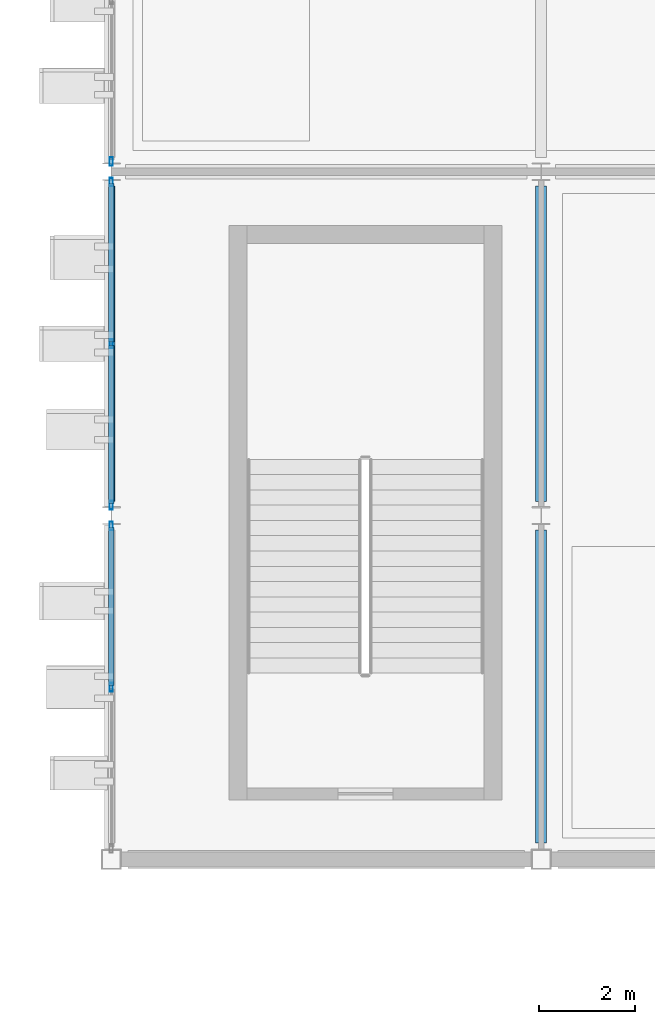
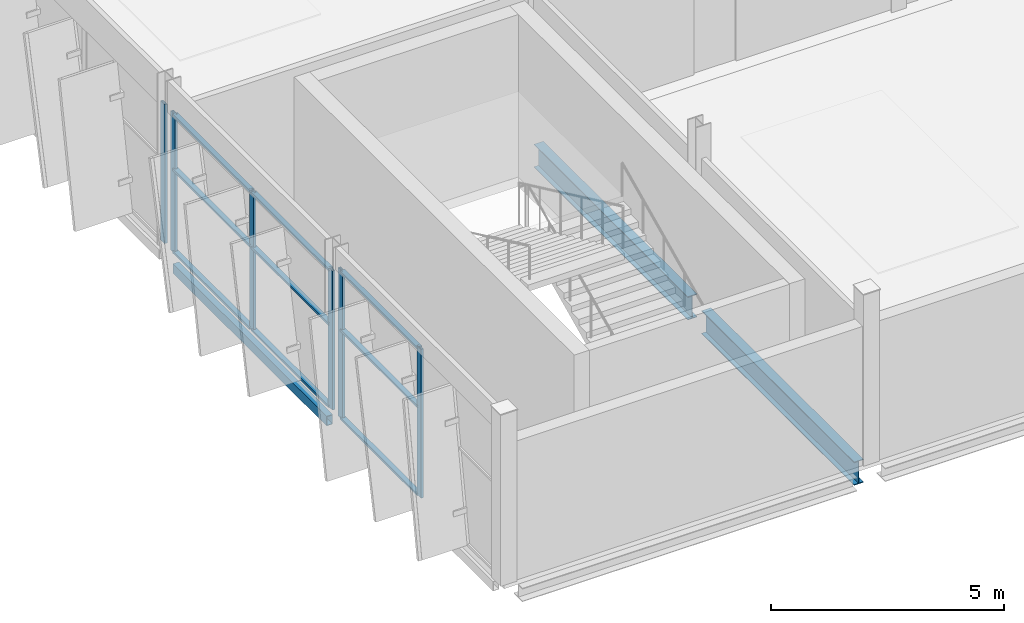
# One storey, part 25 of 78: 15 members, 3 beams, 3 elements without a shape of their own.
"""IFC4 building model written with IfcOpenShell, lengths in metres."""

from ifc_helpers import new_model, si_unit, direction, frame, origin, origin_2d, place, context, subcontext, project, spatial, hollow_rectangle, i_section, extrude, material, layer, layer_set, material_profile, profile_set, type_object, element, aggregate, save


model = new_model("IFC4")

# Units and contexts
model_context = context("Model", 3, precision=1e-05, world=origin(), true_north=direction((0.0, 1.0)))
body_context = subcontext(model_context, "Body", "Model", "MODEL_VIEW")
ifc_project = project(units=[si_unit("LENGTHUNIT", "METRE"), si_unit("AREAUNIT", "SQUARE_METRE"), si_unit("VOLUMEUNIT", "CUBIC_METRE"), si_unit("PLANEANGLEUNIT", "RADIAN"), si_unit("MASSUNIT", "GRAM", prefix="KILO")], contexts=[model_context])

# Site, building, storey
site_placement = place(None, origin())
site = spatial("IfcSite", under=ifc_project, at=site_placement, CompositionType="ELEMENT")
building_placement = place(site_placement, origin())
building = spatial("IfcBuilding", under=site, at=building_placement, Name="Celestram Park Convention Centre", CompositionType="ELEMENT")
storey_placement = place(building_placement, frame((0.0, 0.0, 19.800048828125)))
storey = spatial("IfcBuildingStorey", under=building, at=storey_placement, Name="L04", CompositionType="ELEMENT", Elevation=19.800048828125)

# Curtain wall, members
ifc_material_1 = material(Name="Anodised Aluminium Alloy 6063-T6", Category="aluminium")
ifc_layer_1 = layer(ifc_material_1, 0.179931640625)
ifc_layer_set_1 = layer_set([ifc_layer_1], Name="Anodised Aluminium Alloy 6063-T6")
curtain_wall_type_1 = type_object("IfcCurtainWallType", Name="ARC-CW-682X390", PredefinedType="NOTDEFINED", material=ifc_layer_set_1)
curtain_wall_1_placement = place(storey_placement, origin())
curtain_wall_1 = element("IfcCurtainWall", 1, at=curtain_wall_1_placement, inside=storey, type_object=curtain_wall_type_1, Name="Unitised curtain wall CU-L04-229", PredefinedType="NOTDEFINED")
ifc_material_profile_1 = material_profile(ifc_material_1, hollow_rectangle(XDim=0.06494140625, YDim=0.179931640625, WallThickness=0.00390625, at=origin_2d()), Name="ALU65X180X4")
ifc_profile_set_1 = profile_set([ifc_material_profile_1], Name="Anodised Aluminium Alloy 6063-T6")
member_type_1 = type_object("IfcMemberType", Name="ARC-CWM-150", PredefinedType="MULLION", material=ifc_profile_set_1)
member_1_placement = place(storey_placement, frame((36.0, 111.606689453125, 0.0), z_axis=(0.0, 0.0, 1.0), x_axis=(-1.0, 0.0, 0.0)))
member_1 = element("IfcMember", 2, at=member_1_placement, type_object=member_type_1, Name="CW-68X39 mullion 2", PredefinedType="MULLION", context=body_context, shape_type="SweptSolid", body=[
    extrude(hollow_rectangle(XDim=0.06494140625, YDim=0.179931640625, WallThickness=0.00390625, at=origin_2d()), origin(), (0.0, 0.0, 1.0), 3.904052734375),
])
member_2_placement = place(storey_placement, frame((36.0, 114.98291015625, 0.0), z_axis=(0.0, 0.0, 1.0), x_axis=(-1.0, 0.0, 0.0)))
member_2 = element("IfcMember", 3, at=member_2_placement, type_object=member_type_1, Name="CW-68X39 mullion 3", PredefinedType="MULLION", context=body_context, shape_type="SweptSolid", body=[
    extrude(hollow_rectangle(XDim=0.06494140625, YDim=0.179931640625, WallThickness=0.00390625, at=origin_2d()), origin(), (0.0, 0.0, 1.0), 3.904052734375),
])

ifc_layer_2 = layer(ifc_material_1, 0.179931640625)
ifc_layer_set_2 = layer_set([ifc_layer_2], Name="Anodised Aluminium Alloy 6063-T6")
curtain_wall_type_2 = type_object("IfcCurtainWallType", Name="ARC-CW-683X365", PredefinedType="NOTDEFINED", material=ifc_layer_set_2)
curtain_wall_2_placement = place(storey_placement, origin())
curtain_wall_2 = element("IfcCurtainWall", 4, at=curtain_wall_2_placement, inside=storey, type_object=curtain_wall_type_2, Name="Unitised curtain wall CU-L04-230", PredefinedType="NOTDEFINED")
member_3_placement = place(storey_placement, frame((36.0, 115.4169921875, 0.0), z_axis=(0.0, 0.0, 1.0), x_axis=(-1.0, 0.0, 0.0)))
member_3 = element("IfcMember", 5, at=member_3_placement, type_object=member_type_1, Name="CW-68X36 mullion 1", PredefinedType="MULLION", context=body_context, shape_type="SweptSolid", body=[
    extrude(hollow_rectangle(XDim=0.06494140625, YDim=0.179931640625, WallThickness=0.00390625, at=origin_2d()), origin(), (0.0, 0.0, 1.0), 3.64794921875),
])
member_4_placement = place(storey_placement, frame((36.0, 118.800048828125, 0.0), z_axis=(0.0, 0.0, 1.0), x_axis=(-1.0, 0.0, 0.0)))
member_4 = element("IfcMember", 6, at=member_4_placement, type_object=member_type_1, Name="CW-68X36 mullion 2", PredefinedType="MULLION", context=body_context, shape_type="SweptSolid", body=[
    extrude(hollow_rectangle(XDim=0.06494140625, YDim=0.179931640625, WallThickness=0.00390625, at=origin_2d()), origin(), (0.0, 0.0, 1.0), 3.64794921875),
])
member_5_placement = place(storey_placement, frame((36.0, 122.18310546875, 0.0), z_axis=(0.0, 0.0, 1.0), x_axis=(-1.0, 0.0, 0.0)))
member_5 = element("IfcMember", 7, at=member_5_placement, type_object=member_type_1, Name="CW-68X36 mullion 3", PredefinedType="MULLION", context=body_context, shape_type="SweptSolid", body=[
    extrude(hollow_rectangle(XDim=0.06494140625, YDim=0.179931640625, WallThickness=0.00390625, at=origin_2d()), origin(), (0.0, 0.0, 1.0), 3.64794921875),
])

# Curtain wall, member
curtain_wall_3_placement = place(storey_placement, origin())
curtain_wall_3 = element("IfcCurtainWall", 8, at=curtain_wall_3_placement, inside=storey, type_object=curtain_wall_type_2, Name="Unitised curtain wall CU-L04-231", PredefinedType="NOTDEFINED")
member_6_placement = place(storey_placement, frame((36.0, 122.616943359375, 0.0), z_axis=(0.0, 0.0, 1.0), x_axis=(-1.0, 0.0, 0.0)))
member_6 = element("IfcMember", 9, at=member_6_placement, type_object=member_type_1, Name="CW-68X36 mullion 1", PredefinedType="MULLION", context=body_context, shape_type="SweptSolid", body=[
    extrude(hollow_rectangle(XDim=0.06494140625, YDim=0.179931640625, WallThickness=0.00390625, at=origin_2d()), origin(), (0.0, 0.0, 1.0), 3.64794921875),
])
aggregate(curtain_wall_3, [member_6])

# Member
ifc_material_profile_2 = material_profile(ifc_material_1, hollow_rectangle(XDim=0.1201171875, YDim=0.06005859375, WallThickness=0.0029296875, at=origin_2d()), Name="ALU120X60X3")
ifc_profile_set_2 = profile_set([ifc_material_profile_2], Name="Anodised Aluminium Alloy 6063-T6")
member_type_2 = type_object("IfcMemberType", Name="ARC-CWT-120", PredefinedType="USERDEFINED", material=ifc_profile_set_2)
member_7_placement = place(storey_placement, frame((36.0, 111.63916015625, 0.030029296875), z_axis=(0.0, 1.0, 0.0), x_axis=(-1.0, 0.0, 0.0)))
member_7 = element("IfcMember", 10, at=member_7_placement, type_object=member_type_2, Name="CW-68X39 transom 2.1", ObjectType="TRANSOM", PredefinedType="USERDEFINED", context=body_context, shape_type="SweptSolid", body=[
    extrude(hollow_rectangle(XDim=0.1201171875, YDim=0.06005859375, WallThickness=0.0029296875, at=origin_2d()), origin(), (0.0, 0.0, 1.0), 3.311279296875),
])

member_8_placement = place(storey_placement, frame((36.0, 111.63916015625, 2.342041015625), z_axis=(0.0, 1.0, 0.0), x_axis=(-1.0, 0.0, 0.0)))
member_8 = element("IfcMember", 11, at=member_8_placement, type_object=member_type_2, Name="CW-68X39 transom 2.2", ObjectType="TRANSOM", PredefinedType="USERDEFINED", context=body_context, shape_type="SweptSolid", body=[
    extrude(hollow_rectangle(XDim=0.1201171875, YDim=0.06005859375, WallThickness=0.0029296875, at=origin_2d()), origin(), (0.0, 0.0, 1.0), 3.311279296875),
])

member_9_placement = place(storey_placement, frame((36.0, 111.63916015625, 3.8740234375), z_axis=(0.0, 1.0, 0.0), x_axis=(-1.0, 0.0, 0.0)))
member_9 = element("IfcMember", 12, at=member_9_placement, type_object=member_type_2, Name="CW-68X39 transom 2.3", ObjectType="TRANSOM", PredefinedType="USERDEFINED", context=body_context, shape_type="SweptSolid", body=[
    extrude(hollow_rectangle(XDim=0.1201171875, YDim=0.06005859375, WallThickness=0.0029296875, at=origin_2d()), origin(), (0.0, 0.0, 1.0), 3.311279296875),
])

aggregate(curtain_wall_1, [member_1, member_2, member_7, member_8, member_9])

member_10_placement = place(storey_placement, frame((36.0, 115.449462890625, 0.030029296875), z_axis=(0.0, 1.0, 0.0), x_axis=(-1.0, 0.0, 0.0)))
member_10 = element("IfcMember", 13, at=member_10_placement, type_object=member_type_2, Name="CW-68X36 transom 1.1", ObjectType="TRANSOM", PredefinedType="USERDEFINED", context=body_context, shape_type="SweptSolid", body=[
    extrude(hollow_rectangle(XDim=0.1201171875, YDim=0.06005859375, WallThickness=0.0029296875, at=origin_2d()), origin(), (0.0, 0.0, 1.0), 3.318115234375),
])

member_11_placement = place(storey_placement, frame((36.0, 115.449462890625, 2.18896484375), z_axis=(0.0, 1.0, 0.0), x_axis=(-1.0, 0.0, 0.0)))
member_11 = element("IfcMember", 14, at=member_11_placement, type_object=member_type_2, Name="CW-68X36 transom 1.2", ObjectType="TRANSOM", PredefinedType="USERDEFINED", context=body_context, shape_type="SweptSolid", body=[
    extrude(hollow_rectangle(XDim=0.1201171875, YDim=0.06005859375, WallThickness=0.0029296875, at=origin_2d()), origin(), (0.0, 0.0, 1.0), 3.318115234375),
])

member_12_placement = place(storey_placement, frame((36.0, 115.449462890625, 3.617919921875), z_axis=(0.0, 1.0, 0.0), x_axis=(-1.0, 0.0, 0.0)))
member_12 = element("IfcMember", 15, at=member_12_placement, type_object=member_type_2, Name="CW-68X36 transom 1.3", ObjectType="TRANSOM", PredefinedType="USERDEFINED", context=body_context, shape_type="SweptSolid", body=[
    extrude(hollow_rectangle(XDim=0.1201171875, YDim=0.06005859375, WallThickness=0.0029296875, at=origin_2d()), origin(), (0.0, 0.0, 1.0), 3.318115234375),
])

member_13_placement = place(storey_placement, frame((36.0, 118.83251953125, 0.030029296875), z_axis=(0.0, 1.0, 0.0), x_axis=(-1.0, 0.0, 0.0)))
member_13 = element("IfcMember", 16, at=member_13_placement, type_object=member_type_2, Name="CW-68X36 transom 2.1", ObjectType="TRANSOM", PredefinedType="USERDEFINED", context=body_context, shape_type="SweptSolid", body=[
    extrude(hollow_rectangle(XDim=0.1201171875, YDim=0.06005859375, WallThickness=0.0029296875, at=origin_2d()), origin(), (0.0, 0.0, 1.0), 3.31787109375),
])

member_14_placement = place(storey_placement, frame((36.0, 118.83251953125, 2.18896484375), z_axis=(0.0, 1.0, 0.0), x_axis=(-1.0, 0.0, 0.0)))
member_14 = element("IfcMember", 17, at=member_14_placement, type_object=member_type_2, Name="CW-68X36 transom 2.2", ObjectType="TRANSOM", PredefinedType="USERDEFINED", context=body_context, shape_type="SweptSolid", body=[
    extrude(hollow_rectangle(XDim=0.1201171875, YDim=0.06005859375, WallThickness=0.0029296875, at=origin_2d()), origin(), (0.0, 0.0, 1.0), 3.31787109375),
])

member_15_placement = place(storey_placement, frame((36.0, 118.83251953125, 3.617919921875), z_axis=(0.0, 1.0, 0.0), x_axis=(-1.0, 0.0, 0.0)))
member_15 = element("IfcMember", 18, at=member_15_placement, type_object=member_type_2, Name="CW-68X36 transom 2.3", ObjectType="TRANSOM", PredefinedType="USERDEFINED", context=body_context, shape_type="SweptSolid", body=[
    extrude(hollow_rectangle(XDim=0.1201171875, YDim=0.06005859375, WallThickness=0.0029296875, at=origin_2d()), origin(), (0.0, 0.0, 1.0), 3.31787109375),
])

aggregate(curtain_wall_2, [member_3, member_4, member_5, member_10, member_11, member_12, member_13, member_14, member_15])

# Beams
ifc_material_2 = material(Name="Steel ASTM A992 Grade 50", Category="steel")
ifc_material_profile_3 = material_profile(ifc_material_2, i_section(OverallWidth=0.22900390625, OverallDepth=0.612060546875, WebThickness=0.011962890625, FlangeThickness=0.01953125, at=origin_2d()), Name="W24X84")
ifc_profile_set_3 = profile_set([ifc_material_profile_3], Name="Steel ASTM A992 Grade 50")
beam_type_1 = type_object("IfcBeamType", Name="STR-BM-W24X84", PredefinedType="BEAM", material=ifc_profile_set_3)
beam_1_placement = place(storey_placement, frame((45.0, 108.347900390625, -0.55615234375), z_axis=(0.0, 1.0, 0.0), x_axis=(-1.0, 0.0, 0.0)))
element("IfcBeam", 19, at=beam_1_placement, inside=storey, type_object=beam_type_1, Name="Primary Y-girder BG-L04-0016", PredefinedType="BEAM", context=body_context, shape_type="SweptSolid", body=[
    extrude(i_section(OverallWidth=0.22900390625, OverallDepth=0.612060546875, WebThickness=0.011962890625, FlangeThickness=0.01953125, at=origin_2d()), origin(), (0.0, 0.0, 1.0), 6.55419921875),
])
beam_2_placement = place(storey_placement, frame((45.0, 115.498046875, -0.55615234375), z_axis=(0.0, 1.0, 0.0), x_axis=(-1.0, 0.0, 0.0)))
element("IfcBeam", 20, at=beam_2_placement, inside=storey, type_object=beam_type_1, Name="Primary Y-girder BG-L04-0017", PredefinedType="BEAM", context=body_context, shape_type="SweptSolid", body=[
    extrude(i_section(OverallWidth=0.22900390625, OverallDepth=0.612060546875, WebThickness=0.011962890625, FlangeThickness=0.01953125, at=origin_2d()), origin(), (0.0, 0.0, 1.0), 6.60400390625),
])
ifc_material_3 = material(Name="Steel ASTM A500 Grade C", Category="steel")
ifc_material_profile_4 = material_profile(ifc_material_3, hollow_rectangle(XDim=0.14990234375, YDim=0.25, WallThickness=0.010009765625, at=origin_2d()), Name="HSS250X150X10")
ifc_profile_set_4 = profile_set([ifc_material_profile_4], Name="Steel ASTM A500 Grade C")
beam_type_2 = type_object("IfcBeamType", Name="STR-SPN-HSS250X150", PredefinedType="SPANDREL", material=ifc_profile_set_4)
beam_3_placement = place(storey_placement, frame((36.0, 115.498046875, -0.375), z_axis=(0.0, 1.0, 0.0), x_axis=(-1.0, 0.0, 0.0)))
element("IfcBeam", 21, at=beam_3_placement, inside=storey, type_object=beam_type_2, Name="Primary Y-girder BG-L04-0003", PredefinedType="SPANDREL", context=body_context, shape_type="SweptSolid", body=[
    extrude(hollow_rectangle(XDim=0.14990234375, YDim=0.25, WallThickness=0.010009765625, at=origin_2d()), origin(), (0.0, 0.0, 1.0), 6.60400390625),
])

save(model, "model.ifc")
